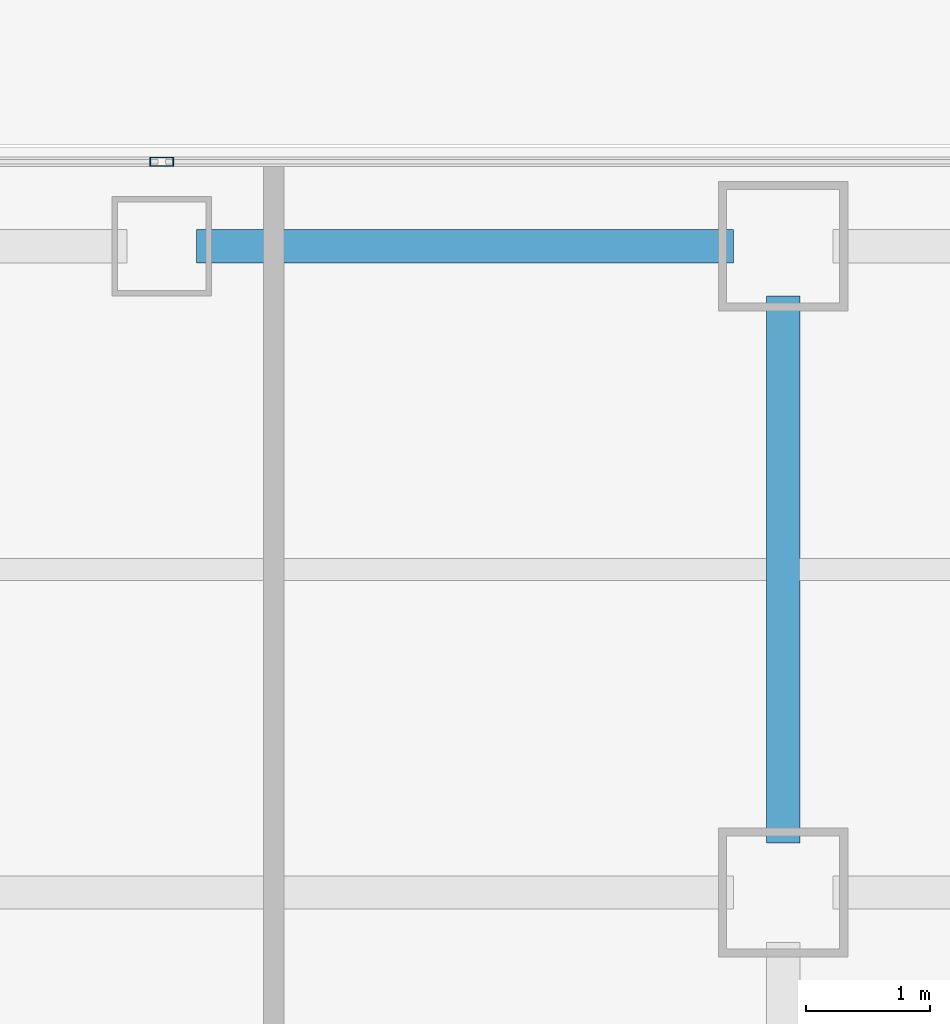
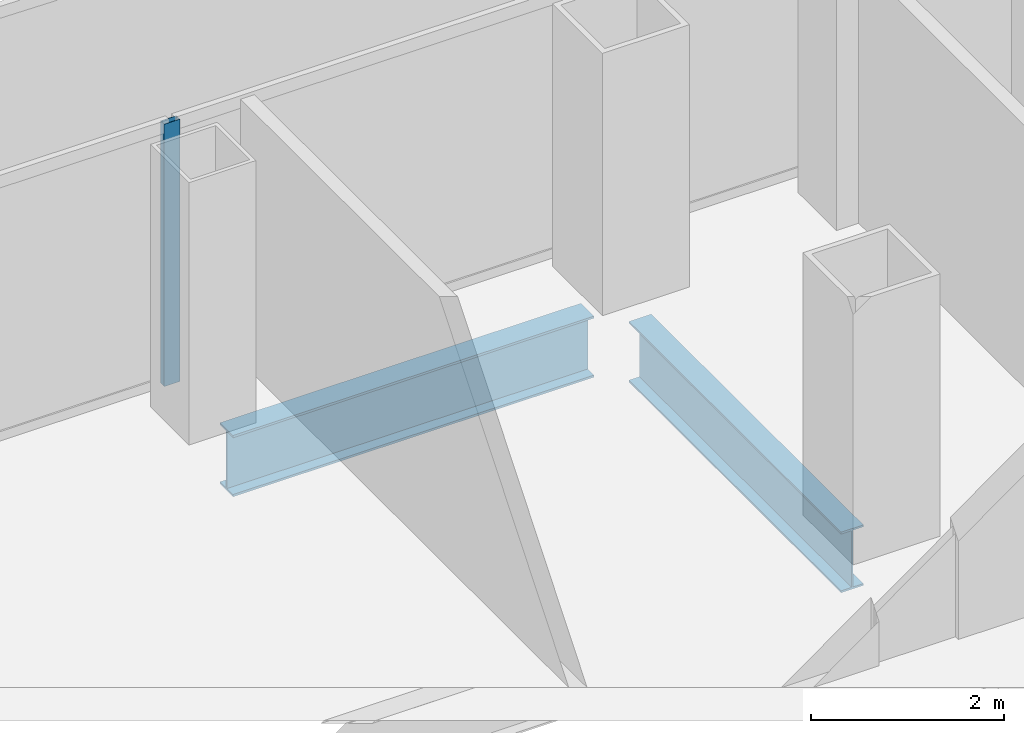
# One storey, part 13 of 21: 2 beams, 1 member, 1 element without a shape of its own.
"""IFC4 building model written with IfcOpenShell, lengths in metres."""

from ifc_helpers import new_model, si_unit, direction, frame, origin, origin_2d, place, context, subcontext, project, spatial, hollow_rectangle, i_section, extrude, source, transform, mapped, material, layer, layer_set, material_profile, profile_set, type_object, element, aggregate, save


model = new_model("IFC4")

# Units and contexts
model_context = context("Model", 3, precision=1e-05, world=origin(), true_north=direction((0.0, 1.0)))
body_context = subcontext(model_context, "Body", "Model", "MODEL_VIEW")
ifc_project = project(units=[si_unit("LENGTHUNIT", "METRE"), si_unit("AREAUNIT", "SQUARE_METRE"), si_unit("VOLUMEUNIT", "CUBIC_METRE"), si_unit("PLANEANGLEUNIT", "RADIAN"), si_unit("MASSUNIT", "GRAM", prefix="KILO")], contexts=[model_context])

# Site, building, storey
site_placement = place(None, origin())
site = spatial("IfcSite", under=ifc_project, at=site_placement, CompositionType="ELEMENT")
building_placement = place(site_placement, origin())
building = spatial("IfcBuilding", under=site, at=building_placement, Name="Kolveth Station Tower", CompositionType="ELEMENT")
storey_placement = place(building_placement, frame((0.0, 0.0, 29.699951171875)))
storey = spatial("IfcBuildingStorey", under=building, at=storey_placement, Name="L07", CompositionType="ELEMENT", Elevation=29.699951171875)

# Beams
ifc_material_1 = material(Name="Steel S355", Category="steel")
ifc_material_profile_1 = material_profile(ifc_material_1, i_section(OverallWidth=0.26904296875, OverallDepth=0.77490234375, WebThickness=0.01708984375, FlangeThickness=0.0283203125, at=origin_2d()), Name="W760x220")
ifc_profile_set_1 = profile_set([ifc_material_profile_1], Name="Steel S355")
beam_type_1 = type_object("IfcBeamType", Name="Beam_SP1", PredefinedType="SPANDREL", material=ifc_profile_set_1)
shared_shape_1 = source(origin(), body_context, "Body", "SweptSolid", [
    extrude(i_section(OverallWidth=0.26904296875, OverallDepth=0.77490234375, WebThickness=0.01708984375, FlangeThickness=0.0283203125, at=origin_2d()), origin(), (0.0, 0.0, 1.0), 4.320068359375),
])
beam_1_placement = place(storey_placement, frame((23.780029296875, 39.699951171875, -0.66748046875), z_axis=(1.0, 0.0, 0.0), x_axis=(0.0, 1.0, 0.0)))
element("IfcBeam", 1, at=beam_1_placement, inside=storey, type_object=beam_type_1, Name="L07 Perimeter Spandrel BM-L07-PN-6", PredefinedType="SPANDREL", context=body_context, shape_type="MappedRepresentation", body=[
    mapped(shared_shape_1, transform((0.0, 0.0, 0.0), x_axis=(1.0, 0.0, 0.0), y_axis=(0.0, 1.0, 0.0), z_axis=(0.0, 0.0, 1.0), scale=1.0)),
])
ifc_material_profile_2 = material_profile(ifc_material_1, i_section(OverallWidth=0.26708984375, OverallDepth=0.76611328125, WebThickness=0.014892578125, FlangeThickness=0.023681640625, at=origin_2d()), Name="W760x185")
ifc_profile_set_2 = profile_set([ifc_material_profile_2], Name="Steel S355")
beam_type_2 = type_object("IfcBeamType", Name="Beam_B3", PredefinedType="BEAM", material=ifc_profile_set_2)
shared_shape_2 = source(origin(), body_context, "Body", "SweptSolid", [
    extrude(i_section(OverallWidth=0.26708984375, OverallDepth=0.76611328125, WebThickness=0.014892578125, FlangeThickness=0.023681640625, at=origin_2d()), origin(), (0.0, 0.0, 1.0), 4.400146484375),
])
beam_2_placement = place(storey_placement, frame((28.5, 34.89990234375, -0.662841796875), z_axis=(0.0, 1.0, 0.0), x_axis=(-1.0, 0.0, 0.0)))
element("IfcBeam", 2, at=beam_2_placement, inside=storey, type_object=beam_type_2, Name="L07 Primary Girder BM-L07-GX285-7", PredefinedType="BEAM", context=body_context, shape_type="MappedRepresentation", body=[
    mapped(shared_shape_2, transform((0.0, 0.0, 0.0), x_axis=(1.0, 0.0, 0.0), y_axis=(0.0, 1.0, 0.0), z_axis=(0.0, 0.0, 1.0), scale=1.0)),
])

# Curtain wall, member
ifc_material_2 = material(Name="Aluminium 6063-T6 and low-E dark glass", Category="aluminium")
ifc_layer = layer(ifc_material_2, 0.179931640625)
ifc_layer_set = layer_set([ifc_layer], Name="Aluminium 6063-T6 and low-E dark glass")
curtain_wall_type = type_object("IfcCurtainWallType", Name="CurtainWall_CW-Z1", PredefinedType="NOTDEFINED", material=ifc_layer_set)
curtain_wall_placement = place(storey_placement, origin())
curtain_wall = element("IfcCurtainWall", 3, at=curtain_wall_placement, inside=storey, type_object=curtain_wall_type, Name="L07 Inner Thermal Curtain Wall 6", PredefinedType="NOTDEFINED")
ifc_material_3 = material(Name="Black anodized aluminium 6063-T6", Category="aluminium")
ifc_material_profile_3 = material_profile(ifc_material_3, hollow_rectangle(XDim=0.074951171875, YDim=0.18994140625, WallThickness=0.0048828125, at=origin_2d()), Name="ALU-75x190x5")
ifc_profile_set_3 = profile_set([ifc_material_profile_3], Name="Black anodized aluminium 6063-T6")
member_type = type_object("IfcMemberType", Name="Mullion_ML1", PredefinedType="MULLION", material=ifc_profile_set_3)
shared_shape_3 = source(origin(), body_context, "Body", "SweptSolid", [
    extrude(hollow_rectangle(XDim=0.074951171875, YDim=0.18994140625, WallThickness=0.0048828125, at=origin_2d()), origin(), (0.0, 0.0, 1.0), 3.320068359375),
])
member_placement = place(storey_placement, frame((23.5, 40.3798828125, 0.0), z_axis=(0.0, 0.0, 1.0), x_axis=(0.0, -1.0, 0.0)))
member = element("IfcMember", 4, at=member_placement, type_object=member_type, Name="CW-Z1 mullion 2", PredefinedType="MULLION", context=body_context, shape_type="MappedRepresentation", body=[
    mapped(shared_shape_3, transform((0.0, 0.0, 0.0), x_axis=(1.0, 0.0, 0.0), y_axis=(0.0, 1.0, 0.0), z_axis=(0.0, 0.0, 1.0), scale=1.0)),
])
aggregate(curtain_wall, [member])

save(model, "model.ifc")
